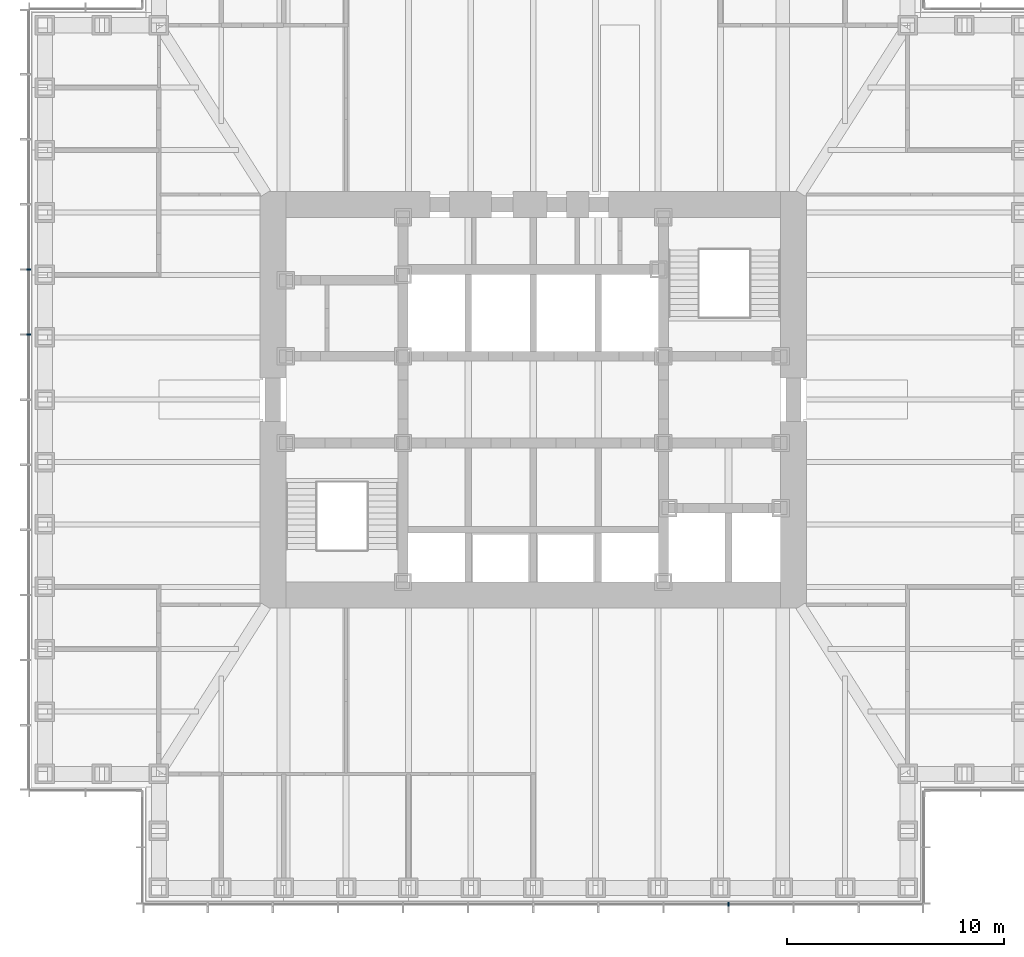
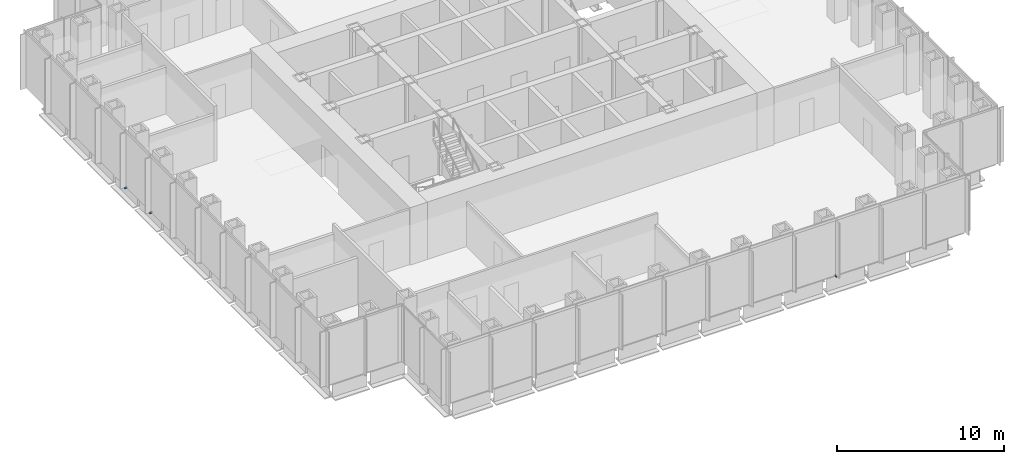
# One storey, part 13 of 17: 3 discrete accessories.
"""IFC4 building model written with IfcOpenShell, lengths in metres."""

from ifc_helpers import new_model, si_unit, direction, frame, origin, origin_2d, place, context, subcontext, project, spatial, rectangle, extrude, element, save


model = new_model("IFC4")

# Units and contexts
model_context = context("Model", 3, precision=1e-05, world=origin(), true_north=direction((0.0, 1.0)))
body_context = subcontext(model_context, "Body", "Model", "MODEL_VIEW")
ifc_project = project(units=[si_unit("LENGTHUNIT", "METRE"), si_unit("AREAUNIT", "SQUARE_METRE"), si_unit("VOLUMEUNIT", "CUBIC_METRE"), si_unit("PLANEANGLEUNIT", "RADIAN"), si_unit("MASSUNIT", "GRAM", prefix="KILO")], contexts=[model_context])

# Site, building, storey
site_placement = place(None, origin())
site = spatial("IfcSite", under=ifc_project, at=site_placement, CompositionType="ELEMENT")
building_placement = place(site_placement, origin())
building = spatial("IfcBuilding", under=site, at=building_placement, Name="Daluyong Arena Tower", CompositionType="ELEMENT")
storey_placement = place(building_placement, frame((0.0, 0.0, 158.5)))
storey = spatial("IfcBuildingStorey", under=building, at=storey_placement, Name="L35", CompositionType="ELEMENT", Elevation=158.5)

# Discrete accessories
for number, where, z_axis, x_axis, name in (
    (1, (65.0, 56.75, -0.10009765625), (0.0, 0.0, 1.0), (1.0, 0.0, 0.0), "curtain wall L35 S anchor bracket 10"),
    (2, (32.75, 86.0, -0.10009765625), (0.0, 0.0, 1.0), (0.0, -1.0, 0.0), "curtain wall L35 W anchor bracket 5"),
    (3, (32.75, 83.0, -0.10009765625), (0.0, 0.0, 1.0), (0.0, -1.0, 0.0), "curtain wall L35 W anchor bracket 6"),
):
    element("IfcDiscreteAccessory", number, at=place(storey_placement, frame(where, z_axis=z_axis, x_axis=x_axis)), inside=storey, Name=name, PredefinedType="BRACKET", context=body_context, shape_type="SweptSolid", body=[
        extrude(rectangle(XDim=0.080078125, YDim=0.199951171875, at=origin_2d()), origin(), (0.0, 0.0, 1.0), 0.10009765625),
    ])

save(model, "model.ifc")
